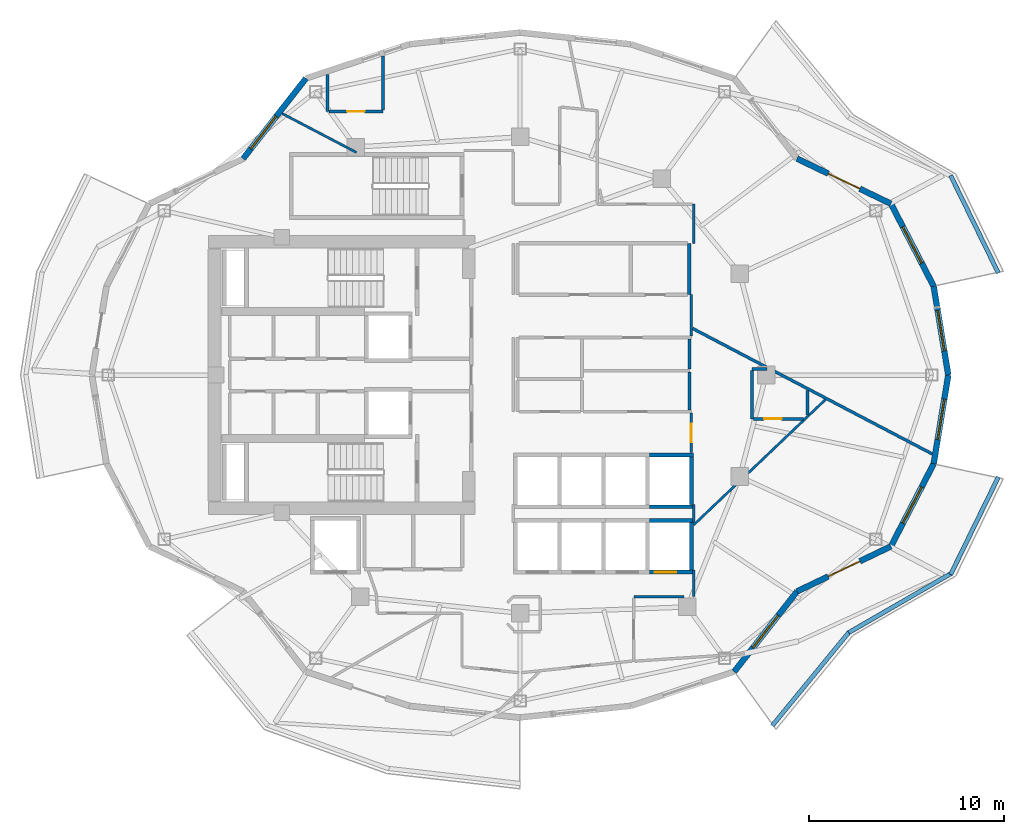
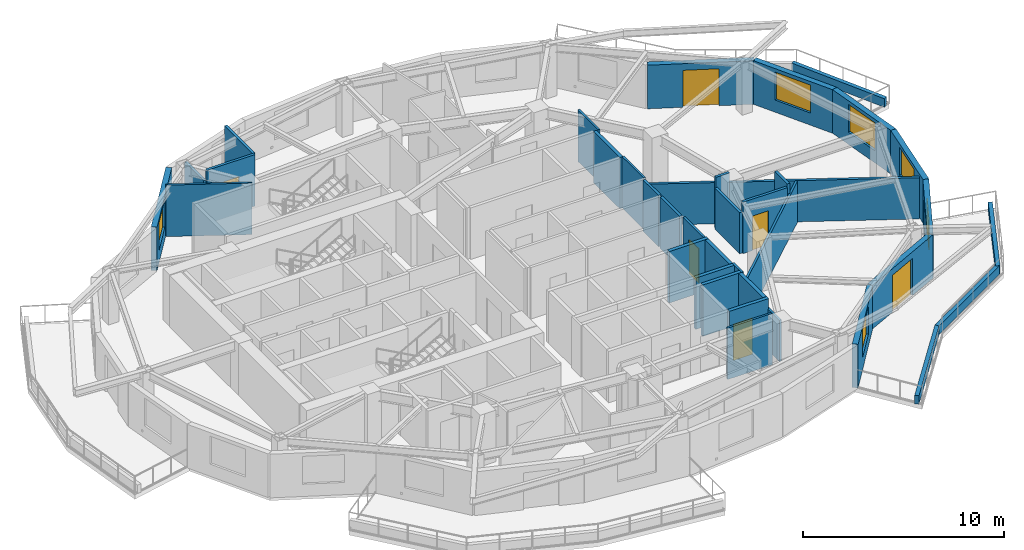
# One storey, part 6 of 10: 37 walls, 6 doors, 6 windows, 12 openings.
"""IFC4 building model written with IfcOpenShell, lengths in metres."""

from ifc_helpers import new_model, si_unit, direction, frame, frame_2d, origin, place, context, subcontext, project, spatial, rectangle, extrude, material, layer, layer_set, type_object, element, fill, save


model = new_model("IFC4")

# Units and contexts
model_context = context("Model", 3, precision=1e-05, world=origin(), true_north=direction((0.0, 1.0)))
body_context = subcontext(model_context, "Body", "Model", "MODEL_VIEW")
ifc_project = project(units=[si_unit("LENGTHUNIT", "METRE"), si_unit("AREAUNIT", "SQUARE_METRE"), si_unit("VOLUMEUNIT", "CUBIC_METRE"), si_unit("PLANEANGLEUNIT", "RADIAN"), si_unit("MASSUNIT", "GRAM", prefix="KILO")], contexts=[model_context])

# Site, building, storey
site_placement = place(None, origin())
site = spatial("IfcSite", under=ifc_project, at=site_placement, CompositionType="ELEMENT")
building_placement = place(site_placement, origin())
building = spatial("IfcBuilding", under=site, at=building_placement, Name="Kolvaren Gate Tower and Convention Centre", CompositionType="ELEMENT")
storey_placement = place(building_placement, frame((0.0, 0.0, 152.89990234375)))
storey = spatial("IfcBuildingStorey", under=building, at=storey_placement, Name="L39", CompositionType="ELEMENT", Elevation=152.89990234375)

# Walls
ifc_material_1 = material(Name="Autoclaved Aerated Masonry Blockwork Class 4 (4.0 MPa)", Category="masonry")
ifc_layer_1 = layer(ifc_material_1, 0.179931640625)
ifc_layer_set_1 = layer_set([ifc_layer_1], Name="Autoclaved Aerated Masonry Blockwork Class 4 (4.0 MPa)")
wall_type_1 = type_object("IfcWallType", Name="ARCH-WL-COMP-180", PredefinedType="SOLIDWALL", material=ifc_layer_set_1)
wall_1_placement = place(storey_placement, frame((38.800048828125, 31.1201171875, 0.0), z_axis=(0.0, 0.0, 1.0), x_axis=(0.0, 1.0, 0.0)))
element("IfcWall", 1, at=wall_1_placement, inside=storey, type_object=wall_type_1, Name="Interior Partition WL-L39-INT-024", PredefinedType="SOLIDWALL", context=body_context, shape_type="SweptSolid", body=[
    extrude(rectangle(XDim=2.6298828125, YDim=0.179931640625, at=frame_2d((1.31494140625, 0.0))), origin(), (0.0, 0.0, 1.0), 3.130126953125),
])
ifc_material_2 = material(Name="Fire-Rated Acoustic Gypsum Stud Partition", Category="gypsum")
ifc_layer_2 = layer(ifc_material_2, 0.1201171875)
ifc_layer_set_2 = layer_set([ifc_layer_2], Name="Fire-Rated Acoustic Gypsum Stud Partition")
wall_type_2 = type_object("IfcWallType", Name="ARCH-WL-PART-120", PredefinedType="PARTITIONING", material=ifc_layer_set_2)
wall_2_placement = place(storey_placement, frame((39.02001953125, 15.64990234375, 0.0), z_axis=(0.0, 0.0, 1.0), x_axis=(0.0, 1.0, 0.0)))
element("IfcWall", 2, at=wall_2_placement, inside=storey, type_object=wall_type_2, Name="Interior Partition WL-L39-INT-028", PredefinedType="PARTITIONING", context=body_context, shape_type="SweptSolid", body=[
    extrude(rectangle(XDim=1.360107421875, YDim=0.1201171875, at=frame_2d((0.68017578125, 0.0))), origin(), (0.0, 0.0, 1.0), 2.505126953125),
])
wall_3_placement = place(storey_placement, frame((39.02001953125, 19.43994140625, 0.0), z_axis=(0.0, 0.0, 1.0), x_axis=(0.0, 1.0, 0.0)))
element("IfcWall", 3, at=wall_3_placement, inside=storey, type_object=wall_type_2, Name="Interior Partition WL-L39-INT-028 (2)", PredefinedType="PARTITIONING", context=body_context, shape_type="SweptSolid", body=[
    extrude(rectangle(XDim=0.920166015625, YDim=0.1201171875, at=frame_2d((0.4599609375, 0.0))), origin(), (0.0, 0.0, 1.0), 3.130126953125),
])
wall_4_placement = place(storey_placement, frame((39.02001953125, 33.75, 0.0), z_axis=(0.0, 0.0, 1.0), x_axis=(0.0, 1.0, 0.0)))
element("IfcWall", 4, at=wall_4_placement, inside=storey, type_object=wall_type_2, Name="Interior Partition WL-L39-INT-029", PredefinedType="PARTITIONING", context=body_context, shape_type="SweptSolid", body=[
    extrude(rectangle(XDim=2.0, YDim=0.1201171875, at=frame_2d((1.0, 0.0))), origin(), (0.0, 0.0, 1.0), 3.130126953125),
])
wall_5_placement = place(storey_placement, frame((35.949951171875, 15.64990234375, 0.0), z_axis=(0.0, 0.0, 1.0), x_axis=(1.0, 0.0, 0.0)))
element("IfcWall", 5, at=wall_5_placement, inside=storey, type_object=wall_type_2, Name="Interior Partition WL-L39-INT-031", PredefinedType="PARTITIONING", context=body_context, shape_type="SweptSolid", body=[
    extrude(rectangle(XDim=2.568115234375, YDim=0.1201171875, at=frame_2d((1.2841796875, 0.0))), origin(), (0.0, 0.0, 1.0), 3.130126953125),
])

# Wall, opening, door
wall_6_placement = place(storey_placement, frame((38.89990234375, 23.02001953125, 0.0), z_axis=(0.0, 0.0, 1.0), x_axis=(0.0, 1.0, 0.0)))
wall_6 = element("IfcWall", 6, at=wall_6_placement, inside=storey, type_object=wall_type_2, Name="Interior Partition WL-L39-INT-049", PredefinedType="PARTITIONING", context=body_context, shape_type="SweptSolid", body=[
    extrude(rectangle(XDim=2.02294921875, YDim=0.1201171875, at=frame_2d((1.011474609375, 0.0))), origin(), (0.0, 0.0, 1.0), 3.130126953125),
])
opening_1_placement = place(wall_6_placement, frame((0.53662109375, 0.0, 0.0)))
opening_1 = element("IfcOpeningElement", 7, at=opening_1_placement, cuts=wall_6, Name="Opening DR-01", PredefinedType="OPENING", context=body_context, shape_type="SweptSolid", body=[
    extrude(rectangle(XDim=0.949951171875, YDim=2.10009765625, at=frame_2d((0.47509765625, 1.050048828125))), frame((0.0, 0.070068359375, 0.0), z_axis=(0.0, -1.0, 0.0), x_axis=(1.0, 0.0, 0.0)), (0.0, 0.0, 1.0), 0.14013671875),
])
ifc_material_3 = material(Name="Painted Architectural Steelwork ASTM A500 Grade C 345 MPa", Category="steel")
door_type_1 = type_object("IfcDoorType", Name="ARCH-DR-RISER-950", OperationType="SINGLE_SWING_RIGHT", PredefinedType="DOOR", material=ifc_material_3)
door_1_placement = place(opening_1_placement, origin())
door_1 = element("IfcDoor", 8, at=door_1_placement, inside=storey, type_object=door_type_1, Name="Hotel Guest Room (HTL-L39-05) Door", OperationType="SINGLE_SWING_RIGHT", OverallHeight=2.10009765625, OverallWidth=0.949951171875, PredefinedType="DOOR", context=body_context, shape_type="SweptSolid", body=[
    extrude(rectangle(XDim=0.949951171875, YDim=2.10009765625, at=frame_2d((0.47509765625, 1.050048828125))), frame((0.0, 0.02490234375, 0.0), z_axis=(0.0, -1.0, 0.0), x_axis=(1.0, 0.0, 0.0)), (0.0, 0.0, 1.0), 0.050048828125),
])
fill(opening_1, door_1)

# Walls
wall_7_placement = place(storey_placement, frame((38.89990234375, 28.9970703125, 0.0), z_axis=(0.0, 0.0, 1.0), x_axis=(0.0, 1.0, 0.0)))
element("IfcWall", 9, at=wall_7_placement, inside=storey, type_object=wall_type_2, Name="Interior Partition WL-L39-INT-050", PredefinedType="PARTITIONING", context=body_context, shape_type="SweptSolid", body=[
    extrude(rectangle(XDim=2.123046875, YDim=0.1201171875, at=frame_2d((1.0615234375, 0.0))), origin(), (0.0, 0.0, 1.0), 3.130126953125),
])
wall_8_placement = place(storey_placement, frame((17.93701171875, 40.39501953125, 0.0), z_axis=(0.0, 0.0, 1.0), x_axis=(0.885906043835, -0.463864723273, 0.0)))
element("IfcWall", 10, at=wall_8_placement, inside=storey, type_object=wall_type_2, Name="Interior Partition WL-L39-INT-055", PredefinedType="PARTITIONING", context=body_context, shape_type="SweptSolid", body=[
    extrude(rectangle(XDim=4.29638671875, YDim=0.1201171875, at=frame_2d((2.148193359375, 0.0))), origin(), (0.0, 0.0, 1.0), 3.130126953125),
])
wall_9_placement = place(storey_placement, frame((39.02099609375, 19.32373046875, 0.0), z_axis=(0.0, 0.0, 1.0), x_axis=(0.724517158733, 0.689256763986, 0.0)))
element("IfcWall", 11, at=wall_9_placement, inside=storey, type_object=wall_type_2, Name="Interior Partition WL-L39-INT-059", PredefinedType="PARTITIONING", context=body_context, shape_type="SweptSolid", body=[
    extrude(rectangle(XDim=9.3056640625, YDim=0.1201171875, at=frame_2d((4.65283203125, 0.0))), origin(), (0.0, 0.0, 1.0), 2.505126953125),
])
ifc_material_4 = material(Name="Piedmont Cream Honed Limestone Cladding", Category="masonry")
ifc_layer_3 = layer(ifc_material_4, 0.219970703125)
ifc_layer_set_3 = layer_set([ifc_layer_3], Name="Piedmont Cream Honed Limestone Cladding")
wall_type_3 = type_object("IfcWallType", Name="ARCH-WL-PLANTER-220", PredefinedType="PARAPET", material=ifc_layer_set_3)
wall_10_placement = place(storey_placement, frame((52.180419921875, 37.221435546875, 0.0), z_axis=(0.0, 0.0, 1.0), x_axis=(0.439637174641, -0.898175458735, 0.0)))
element("IfcWall", 12, at=wall_10_placement, inside=storey, type_object=wall_type_3, Name="Vertical-Forest Balcony Stone Planter Kerb PK-L39-1.1", PredefinedType="PARAPET", context=body_context, shape_type="SweptSolid", body=[
    extrude(rectangle(XDim=5.567138671875, YDim=0.219970703125, at=frame_2d((2.78369140625, 0.0))), origin(), (0.0, 0.0, 1.0), 0.52001953125),
])
wall_11_placement = place(storey_placement, frame((43.0419921875, 9.03564453125, 0.0), z_axis=(0.0, 0.0, 1.0), x_axis=(0.634429234628, 0.77298094818, 0.0)))
element("IfcWall", 13, at=wall_11_placement, inside=storey, type_object=wall_type_3, Name="Vertical-Forest Balcony Stone Planter Kerb PK-L39-4.1", PredefinedType="PARAPET", context=body_context, shape_type="SweptSolid", body=[
    extrude(rectangle(XDim=6.244873046875, YDim=0.219970703125, at=frame_2d((3.12255859375, 0.0))), origin(), (0.0, 0.0, 1.0), 0.52001953125),
])
wall_12_placement = place(storey_placement, frame((46.95751953125, 13.8046875, 0.0), z_axis=(0.0, 0.0, 1.0), x_axis=(0.866058128659, 0.499943314571, 0.0)))
element("IfcWall", 14, at=wall_12_placement, inside=storey, type_object=wall_type_3, Name="Vertical-Forest Balcony Stone Planter Kerb PK-L39-4.2", PredefinedType="PARAPET", context=body_context, shape_type="SweptSolid", body=[
    extrude(rectangle(XDim=6.060302734375, YDim=0.219970703125, at=frame_2d((3.0302734375, 0.0))), origin(), (0.0, 0.0, 1.0), 0.52001953125),
])
wall_13_placement = place(storey_placement, frame((52.180419921875, 16.778564453125, 0.0), z_axis=(0.0, 0.0, 1.0), x_axis=(0.439637174641, 0.898175458735, 0.0)))
element("IfcWall", 15, at=wall_13_placement, inside=storey, type_object=wall_type_3, Name="Vertical-Forest Balcony Stone Planter Kerb PK-L39-4.3", PredefinedType="PARAPET", context=body_context, shape_type="SweptSolid", body=[
    extrude(rectangle(XDim=5.567138671875, YDim=0.219970703125, at=frame_2d((2.78369140625, 0.0))), origin(), (0.0, 0.0, 1.0), 0.52001953125),
])
ifc_layer_4 = layer(ifc_material_1, 0.199951171875)
ifc_layer_set_4 = layer_set([ifc_layer_4], Name="Autoclaved Aerated Masonry Blockwork Class 4 (4.0 MPa)")
wall_type_4 = type_object("IfcWallType", Name="ARCH-WL-SHAFT-200", PredefinedType="SOLIDWALL", material=ifc_layer_set_4)
wall_14_placement = place(storey_placement, frame((36.75, 19.550048828125, 0.0), z_axis=(0.0, 0.0, 1.0), x_axis=(1.0, 0.0, 0.0)))
element("IfcWall", 16, at=wall_14_placement, inside=storey, type_object=wall_type_4, Name="Elevator PL-08 L39 Fire Shaft Wall N", PredefinedType="SOLIDWALL", context=body_context, shape_type="SweptSolid", body=[
    extrude(rectangle(XDim=2.25, YDim=0.199951171875, at=frame_2d((1.125, 0.0))), origin(), (0.0, 0.0, 1.0), 3.130126953125),
])

# Wall, opening, door
wall_15_placement = place(storey_placement, frame((36.75, 16.89990234375, 0.0), z_axis=(0.0, 0.0, 1.0), x_axis=(1.0, 0.0, 0.0)))
wall_15 = element("IfcWall", 17, at=wall_15_placement, inside=storey, type_object=wall_type_4, Name="Elevator PL-08 L39 Fire Shaft Wall S", PredefinedType="SOLIDWALL", context=body_context, shape_type="SweptSolid", body=[
    extrude(rectangle(XDim=2.25, YDim=0.199951171875, at=frame_2d((1.125, 0.0))), origin(), (0.0, 0.0, 1.0), 3.130126953125),
])
opening_2_placement = place(wall_15_placement, frame((0.280029296875, 0.0, 0.0)))
opening_2 = element("IfcOpeningElement", 18, at=opening_2_placement, cuts=wall_15, Name="Opening LD", PredefinedType="OPENING", context=body_context, shape_type="SweptSolid", body=[
    extrude(rectangle(XDim=1.10009765625, YDim=2.199951171875, at=frame_2d((0.550048828125, 1.10009765625))), frame((0.0, 0.10986328125, 0.0), z_axis=(0.0, -1.0, 0.0), x_axis=(1.0, 0.0, 0.0)), (0.0, 0.0, 1.0), 0.219970703125),
])
ifc_material_5 = material(Name="Brushed Stainless Steel Grade 316L", Category="steel")
door_type_2 = type_object("IfcDoorType", Name="ARCH-DR-LIFT-1100", OperationType="SLIDING_TO_LEFT", PredefinedType="DOOR", material=ifc_material_5)
door_2_placement = place(opening_2_placement, origin())
door_2 = element("IfcDoor", 19, at=door_2_placement, inside=storey, type_object=door_type_2, Name="Elevator PL-08 L39 Sliding Landing Door", OperationType="SLIDING_TO_LEFT", OverallHeight=2.199951171875, OverallWidth=1.10009765625, PredefinedType="DOOR", context=body_context, shape_type="SweptSolid", body=[
    extrude(rectangle(XDim=1.10009765625, YDim=2.199951171875, at=frame_2d((0.550048828125, 1.10009765625))), frame((0.0, 0.02490234375, 0.0), z_axis=(0.0, -1.0, 0.0), x_axis=(1.0, 0.0, 0.0)), (0.0, 0.0, 1.0), 0.050048828125),
])
fill(opening_2, door_2)

# Walls
wall_16_placement = place(storey_placement, frame((38.89990234375, 17.010009765625, 0.0), z_axis=(0.0, 0.0, 1.0), x_axis=(0.0, 1.0, 0.0)))
element("IfcWall", 20, at=wall_16_placement, inside=storey, type_object=wall_type_4, Name="Elevator PL-08 L39 Fire Shaft Wall E", PredefinedType="SOLIDWALL", context=body_context, shape_type="SweptSolid", body=[
    extrude(rectangle(XDim=2.429931640625, YDim=0.199951171875, at=frame_2d((1.21484375, 0.0))), origin(), (0.0, 0.0, 1.0), 3.130126953125),
])
for number, where, z_axis, x_axis, name in (
    (21, (36.75, 22.89990234375, 0.0), (0.0, 0.0, 1.0), (1.0, 0.0, 0.0), "Elevator PL-12 L39 Fire Shaft Wall N"),
    (22, (36.75, 20.25, 0.0), (0.0, 0.0, 1.0), (1.0, 0.0, 0.0), "Elevator PL-12 L39 Fire Shaft Wall S"),
):
    element("IfcWall", number, at=place(storey_placement, frame(where, z_axis=z_axis, x_axis=x_axis)), inside=storey, type_object=wall_type_4, Name=name, PredefinedType="SOLIDWALL", context=body_context, shape_type="SweptSolid", body=[
        extrude(rectangle(XDim=2.25, YDim=0.199951171875, at=frame_2d((1.125, 0.0))), origin(), (0.0, 0.0, 1.0), 3.130126953125),
    ])
wall_17_placement = place(storey_placement, frame((38.89990234375, 20.360107421875, 0.0), z_axis=(0.0, 0.0, 1.0), x_axis=(0.0, 1.0, 0.0)))
element("IfcWall", 23, at=wall_17_placement, inside=storey, type_object=wall_type_4, Name="Elevator PL-12 L39 Fire Shaft Wall E", PredefinedType="SOLIDWALL", context=body_context, shape_type="SweptSolid", body=[
    extrude(rectangle(XDim=2.429931640625, YDim=0.199951171875, at=frame_2d((1.21484375, 0.0))), origin(), (0.0, 0.0, 1.0), 3.130126953125),
])

# Wall, opening, window
ifc_layer_5 = layer(ifc_material_4, 0.300048828125)
ifc_layer_set_5 = layer_set([ifc_layer_5], Name="Piedmont Cream Honed Limestone Cladding")
wall_type_5 = type_object("IfcWallType", Name="ARCH-WL-STONE-300", PredefinedType="SOLIDWALL", material=ifc_layer_set_5)
wall_18_placement = place(storey_placement, frame((51.31494140625, 31.542236328125, 0.0), z_axis=(0.0, 0.0, 1.0), x_axis=(0.162394765401, -0.986725868806, 0.0)))
wall_18 = element("IfcWall", 24, at=wall_18_placement, inside=storey, type_object=wall_type_5, Name="Tower L39 Honed Stone Spandrel Wall EW-00", PredefinedType="SOLIDWALL", context=body_context, shape_type="SweptSolid", body=[
    extrude(rectangle(XDim=4.603271484375, YDim=0.300048828125, at=frame_2d((2.3017578125, 0.0))), origin(), (0.0, 0.0, 1.0), 2.653076171875),
])
opening_3_placement = place(wall_18_placement, frame((1.251953125, 0.0, 0.739990234375)))
opening_3 = element("IfcOpeningElement", 25, at=opening_3_placement, cuts=wall_18, Name="Opening W-02", PredefinedType="OPENING", context=body_context, shape_type="SweptSolid", body=[
    extrude(rectangle(XDim=2.10009765625, YDim=1.699951171875, at=frame_2d((1.050048828125, 0.85009765625))), frame((0.0, 0.159912109375, 0.0), z_axis=(0.0, -1.0, 0.0), x_axis=(1.0, 0.0, 0.0)), (0.0, 0.0, 1.0), 0.320068359375),
])
ifc_material_6 = material(Name="Low-E Triple Insulated Glazing Unit 44 mm", Category="glass")
window_type = type_object("IfcWindowType", Name="ARCH-WN-HTL-2100", PartitioningType="SINGLE_PANEL", PredefinedType="WINDOW", material=ifc_material_6)
window_1_placement = place(opening_3_placement, origin())
window_1 = element("IfcWindow", 26, at=window_1_placement, inside=storey, type_object=window_type, Name="Tower L39 Punched Stone Facade Window W-00", OverallHeight=1.699951171875, OverallWidth=2.10009765625, PartitioningType="SINGLE_PANEL", PredefinedType="WINDOW", context=body_context, shape_type="SweptSolid", body=[
    extrude(rectangle(XDim=2.10009765625, YDim=1.699951171875, at=frame_2d((1.050048828125, 0.85009765625))), frame((0.0, 0.030029296875, 0.0), z_axis=(0.0, -1.0, 0.0), x_axis=(1.0, 0.0, 0.0)), (0.0, 0.0, 1.0), 0.06005859375),
])
fill(opening_3, window_1)

wall_19_placement = place(storey_placement, frame((49.123291015625, 35.77490234375, 0.0), z_axis=(0.0, 0.0, 1.0), x_axis=(0.459810251451, -0.888017191647, 0.0)))
wall_19 = element("IfcWall", 27, at=wall_19_placement, inside=storey, type_object=wall_type_5, Name="Tower L39 Honed Stone Spandrel Wall EW-01", PredefinedType="SOLIDWALL", context=body_context, shape_type="SweptSolid", body=[
    extrude(rectangle(XDim=4.766357421875, YDim=0.300048828125, at=frame_2d((2.38330078125, 0.0))), origin(), (0.0, 0.0, 1.0), 2.653076171875),
])
opening_4_placement = place(wall_19_placement, frame((1.3330078125, 0.0, 0.739990234375)))
opening_4 = element("IfcOpeningElement", 28, at=opening_4_placement, cuts=wall_19, Name="Opening W-02", PredefinedType="OPENING", context=body_context, shape_type="SweptSolid", body=[
    extrude(rectangle(XDim=2.10009765625, YDim=1.699951171875, at=frame_2d((1.050048828125, 0.85009765625))), frame((0.0, 0.159912109375, 0.0), z_axis=(0.0, -1.0, 0.0), x_axis=(1.0, 0.0, 0.0)), (0.0, 0.0, 1.0), 0.320068359375),
])
window_2_placement = place(opening_4_placement, origin())
window_2 = element("IfcWindow", 29, at=window_2_placement, inside=storey, type_object=window_type, Name="Tower L39 Punched Stone Facade Window W-01", OverallHeight=1.699951171875, OverallWidth=2.10009765625, PartitioningType="SINGLE_PANEL", PredefinedType="WINDOW", context=body_context, shape_type="SweptSolid", body=[
    extrude(rectangle(XDim=2.10009765625, YDim=1.699951171875, at=frame_2d((1.050048828125, 0.85009765625))), frame((0.0, 0.030029296875, 0.0), z_axis=(0.0, -1.0, 0.0), x_axis=(1.0, 0.0, 0.0)), (0.0, 0.0, 1.0), 0.06005859375),
])
fill(opening_4, window_2)

# Wall, opening, door
wall_20_placement = place(storey_placement, frame((44.3134765625, 38.0859375, 0.0), z_axis=(0.0, 0.0, 1.0), x_axis=(0.901353070301, -0.433085029363, 0.0)))
wall_20 = element("IfcWall", 30, at=wall_20_placement, inside=storey, type_object=wall_type_5, Name="Tower L39 Honed Stone Spandrel Wall EW-02", PredefinedType="SOLIDWALL", context=body_context, shape_type="SweptSolid", body=[
    extrude(rectangle(XDim=5.336181640625, YDim=0.300048828125, at=frame_2d((2.66796875, 0.0))), origin(), (0.0, 0.0, 1.0), 2.653076171875),
])
opening_5_placement = place(wall_20_placement, frame((1.76806640625, 0.0, 0.0)))
opening_5 = element("IfcOpeningElement", 31, at=opening_5_placement, cuts=wall_20, Name="Opening DB-01", PredefinedType="OPENING", context=body_context, shape_type="SweptSolid", body=[
    extrude(rectangle(XDim=1.800048828125, YDim=2.25, at=frame_2d((0.89990234375, 1.125))), frame((0.0, 0.159912109375, 0.0), z_axis=(0.0, -1.0, 0.0), x_axis=(1.0, 0.0, 0.0)), (0.0, 0.0, 1.0), 0.320068359375),
])
ifc_material_7 = material(Name="Anodized Architectural Aluminium Alloy 6063-T6", Category="aluminium")
door_type_3 = type_object("IfcDoorType", Name="ARCH-DR-BALC-1800", OperationType="SLIDING_TO_LEFT", PredefinedType="DOOR", material=ifc_material_7)
door_3_placement = place(opening_5_placement, origin())
door_3 = element("IfcDoor", 32, at=door_3_placement, inside=storey, type_object=door_type_3, Name="Planted Sky Terrace Access Door DB-L39-02", OperationType="SLIDING_TO_LEFT", OverallHeight=2.25, OverallWidth=1.800048828125, PredefinedType="DOOR", context=body_context, shape_type="SweptSolid", body=[
    extrude(rectangle(XDim=1.800048828125, YDim=2.25, at=frame_2d((0.89990234375, 1.125))), frame((0.0, 0.02490234375, 0.0), z_axis=(0.0, -1.0, 0.0), x_axis=(1.0, 0.0, 0.0)), (0.0, 0.0, 1.0), 0.050048828125),
])
fill(opening_5, door_3)

# Wall, opening, window
wall_21_placement = place(storey_placement, frame((15.9365234375, 38.0859375, 0.0), z_axis=(0.0, 0.0, 1.0), x_axis=(0.616429245738, 0.787410302828, 0.0)))
wall_21 = element("IfcWall", 33, at=wall_21_placement, inside=storey, type_object=wall_type_5, Name="Tower L39 Honed Stone Spandrel Wall EW-08", PredefinedType="SOLIDWALL", context=body_context, shape_type="SweptSolid", body=[
    extrude(rectangle(XDim=5.22314453125, YDim=0.300048828125, at=frame_2d((2.611572265625, 0.0))), origin(), (0.0, 0.0, 1.0), 2.653076171875),
])
opening_6_placement = place(wall_21_placement, frame((0.64990234375, 0.0, 0.739990234375)))
opening_6 = element("IfcOpeningElement", 34, at=opening_6_placement, cuts=wall_21, Name="Opening W-02", PredefinedType="OPENING", context=body_context, shape_type="SweptSolid", body=[
    extrude(rectangle(XDim=2.10009765625, YDim=1.699951171875, at=frame_2d((1.050048828125, 0.85009765625))), frame((0.0, 0.159912109375, 0.0), z_axis=(0.0, -1.0, 0.0), x_axis=(1.0, 0.0, 0.0)), (0.0, 0.0, 1.0), 0.320068359375),
])
window_3_placement = place(opening_6_placement, origin())
window_3 = element("IfcWindow", 35, at=window_3_placement, inside=storey, type_object=window_type, Name="Tower L39 Punched Stone Facade Window W-08", OverallHeight=1.699951171875, OverallWidth=2.10009765625, PartitioningType="SINGLE_PANEL", PredefinedType="WINDOW", context=body_context, shape_type="SweptSolid", body=[
    extrude(rectangle(XDim=2.10009765625, YDim=1.699951171875, at=frame_2d((1.050048828125, 0.85009765625))), frame((0.0, 0.030029296875, 0.0), z_axis=(0.0, -1.0, 0.0), x_axis=(1.0, 0.0, 0.0)), (0.0, 0.0, 1.0), 0.06005859375),
])
fill(opening_6, window_3)

wall_22_placement = place(storey_placement, frame((41.09375, 11.80126953125, 0.0), z_axis=(0.0, 0.0, 1.0), x_axis=(0.616429245738, 0.787410302828, 0.0)))
wall_22 = element("IfcWall", 36, at=wall_22_placement, inside=storey, type_object=wall_type_5, Name="Tower L39 Honed Stone Spandrel Wall EW-20", PredefinedType="SOLIDWALL", context=body_context, shape_type="SweptSolid", body=[
    extrude(rectangle(XDim=5.22314453125, YDim=0.300048828125, at=frame_2d((2.611572265625, 0.0))), origin(), (0.0, 0.0, 1.0), 2.653076171875),
])
opening_7_placement = place(wall_22_placement, frame((1.56201171875, 0.0, 0.739990234375)))
opening_7 = element("IfcOpeningElement", 37, at=opening_7_placement, cuts=wall_22, Name="Opening W-02", PredefinedType="OPENING", context=body_context, shape_type="SweptSolid", body=[
    extrude(rectangle(XDim=2.10009765625, YDim=1.699951171875, at=frame_2d((1.050048828125, 0.85009765625))), frame((0.0, 0.159912109375, 0.0), z_axis=(0.0, -1.0, 0.0), x_axis=(1.0, 0.0, 0.0)), (0.0, 0.0, 1.0), 0.320068359375),
])
window_4_placement = place(opening_7_placement, origin())
window_4 = element("IfcWindow", 38, at=window_4_placement, inside=storey, type_object=window_type, Name="Tower L39 Punched Stone Facade Window W-20", OverallHeight=1.699951171875, OverallWidth=2.10009765625, PartitioningType="SINGLE_PANEL", PredefinedType="WINDOW", context=body_context, shape_type="SweptSolid", body=[
    extrude(rectangle(XDim=2.10009765625, YDim=1.699951171875, at=frame_2d((1.050048828125, 0.85009765625))), frame((0.0, 0.030029296875, 0.0), z_axis=(0.0, -1.0, 0.0), x_axis=(1.0, 0.0, 0.0)), (0.0, 0.0, 1.0), 0.06005859375),
])
fill(opening_7, window_4)

# Wall, opening, door
wall_23_placement = place(storey_placement, frame((44.3134765625, 15.9140625, 0.0), z_axis=(0.0, 0.0, 1.0), x_axis=(0.901353070301, 0.433085029363, 0.0)))
wall_23 = element("IfcWall", 39, at=wall_23_placement, inside=storey, type_object=wall_type_5, Name="Tower L39 Honed Stone Spandrel Wall EW-21", PredefinedType="SOLIDWALL", context=body_context, shape_type="SweptSolid", body=[
    extrude(rectangle(XDim=5.336181640625, YDim=0.300048828125, at=frame_2d((2.66796875, 0.0))), origin(), (0.0, 0.0, 1.0), 2.653076171875),
])
opening_8_placement = place(wall_23_placement, frame((1.76806640625, 0.0, 0.0)))
opening_8 = element("IfcOpeningElement", 40, at=opening_8_placement, cuts=wall_23, Name="Opening DB-01", PredefinedType="OPENING", context=body_context, shape_type="SweptSolid", body=[
    extrude(rectangle(XDim=1.800048828125, YDim=2.25, at=frame_2d((0.89990234375, 1.125))), frame((0.0, 0.159912109375, 0.0), z_axis=(0.0, -1.0, 0.0), x_axis=(1.0, 0.0, 0.0)), (0.0, 0.0, 1.0), 0.320068359375),
])
door_4_placement = place(opening_8_placement, frame((1.800048828125, 0.0, 0.0), z_axis=(0.0, 0.0, 1.0), x_axis=(-1.0, 0.0, 0.0)))
door_4 = element("IfcDoor", 41, at=door_4_placement, inside=storey, type_object=door_type_3, Name="Planted Sky Terrace Access Door DB-L39-21", OperationType="SLIDING_TO_LEFT", OverallHeight=2.25, OverallWidth=1.800048828125, PredefinedType="DOOR", context=body_context, shape_type="SweptSolid", body=[
    extrude(rectangle(XDim=1.800048828125, YDim=2.25, at=frame_2d((0.89990234375, 1.125))), frame((0.0, 0.02490234375, 0.0), z_axis=(0.0, -1.0, 0.0), x_axis=(1.0, 0.0, 0.0)), (0.0, 0.0, 1.0), 0.050048828125),
])
fill(opening_8, door_4)

# Wall, opening, window
wall_24_placement = place(storey_placement, frame((49.123291015625, 18.22509765625, 0.0), z_axis=(0.0, 0.0, 1.0), x_axis=(0.459810251451, 0.888017191647, 0.0)))
wall_24 = element("IfcWall", 42, at=wall_24_placement, inside=storey, type_object=wall_type_5, Name="Tower L39 Honed Stone Spandrel Wall EW-22", PredefinedType="SOLIDWALL", context=body_context, shape_type="SweptSolid", body=[
    extrude(rectangle(XDim=4.766357421875, YDim=0.300048828125, at=frame_2d((2.38330078125, 0.0))), origin(), (0.0, 0.0, 1.0), 2.653076171875),
])
opening_9_placement = place(wall_24_placement, frame((1.3330078125, 0.0, 0.739990234375)))
opening_9 = element("IfcOpeningElement", 43, at=opening_9_placement, cuts=wall_24, Name="Opening W-02", PredefinedType="OPENING", context=body_context, shape_type="SweptSolid", body=[
    extrude(rectangle(XDim=2.10009765625, YDim=1.699951171875, at=frame_2d((1.050048828125, 0.85009765625))), frame((0.0, 0.159912109375, 0.0), z_axis=(0.0, -1.0, 0.0), x_axis=(1.0, 0.0, 0.0)), (0.0, 0.0, 1.0), 0.320068359375),
])
window_5_placement = place(opening_9_placement, origin())
window_5 = element("IfcWindow", 44, at=window_5_placement, inside=storey, type_object=window_type, Name="Tower L39 Punched Stone Facade Window W-22", OverallHeight=1.699951171875, OverallWidth=2.10009765625, PartitioningType="SINGLE_PANEL", PredefinedType="WINDOW", context=body_context, shape_type="SweptSolid", body=[
    extrude(rectangle(XDim=2.10009765625, YDim=1.699951171875, at=frame_2d((1.050048828125, 0.85009765625))), frame((0.0, 0.030029296875, 0.0), z_axis=(0.0, -1.0, 0.0), x_axis=(1.0, 0.0, 0.0)), (0.0, 0.0, 1.0), 0.06005859375),
])
fill(opening_9, window_5)

wall_25_placement = place(storey_placement, frame((51.31494140625, 22.457763671875, 0.0), z_axis=(0.0, 0.0, 1.0), x_axis=(0.162394765401, 0.986725868806, 0.0)))
wall_25 = element("IfcWall", 45, at=wall_25_placement, inside=storey, type_object=wall_type_5, Name="Tower L39 Honed Stone Spandrel Wall EW-23", PredefinedType="SOLIDWALL", context=body_context, shape_type="SweptSolid", body=[
    extrude(rectangle(XDim=4.603271484375, YDim=0.300048828125, at=frame_2d((2.3017578125, 0.0))), origin(), (0.0, 0.0, 1.0), 2.653076171875),
])
opening_10_placement = place(wall_25_placement, frame((1.251953125, 0.0, 0.739990234375)))
opening_10 = element("IfcOpeningElement", 46, at=opening_10_placement, cuts=wall_25, Name="Opening W-02", PredefinedType="OPENING", context=body_context, shape_type="SweptSolid", body=[
    extrude(rectangle(XDim=2.10009765625, YDim=1.699951171875, at=frame_2d((1.050048828125, 0.85009765625))), frame((0.0, 0.159912109375, 0.0), z_axis=(0.0, -1.0, 0.0), x_axis=(1.0, 0.0, 0.0)), (0.0, 0.0, 1.0), 0.320068359375),
])
window_6_placement = place(opening_10_placement, origin())
window_6 = element("IfcWindow", 47, at=window_6_placement, inside=storey, type_object=window_type, Name="Tower L39 Punched Stone Facade Window W-23", OverallHeight=1.699951171875, OverallWidth=2.10009765625, PartitioningType="SINGLE_PANEL", PredefinedType="WINDOW", context=body_context, shape_type="SweptSolid", body=[
    extrude(rectangle(XDim=2.10009765625, YDim=1.699951171875, at=frame_2d((1.050048828125, 0.85009765625))), frame((0.0, 0.030029296875, 0.0), z_axis=(0.0, -1.0, 0.0), x_axis=(1.0, 0.0, 0.0)), (0.0, 0.0, 1.0), 0.06005859375),
])
fill(opening_10, window_6)

# Walls
ifc_material_8 = material(Name="Moisture-Resistant Cement-Board Acoustic Partition", Category="gypsum")
ifc_layer_6 = layer(ifc_material_8, 0.14990234375)
ifc_layer_set_6 = layer_set([ifc_layer_6], Name="Moisture-Resistant Cement-Board Acoustic Partition")
wall_type_6 = type_object("IfcWallType", Name="ARCH-WL-WET-150", PredefinedType="PARTITIONING", material=ifc_layer_set_6)
wall_26_placement = place(storey_placement, frame((38.800048828125, 25.197021484375, 0.0), z_axis=(0.0, 0.0, 1.0), x_axis=(0.0, 1.0, 0.0)))
element("IfcWall", 48, at=wall_26_placement, inside=storey, type_object=wall_type_6, Name="Interior Partition WL-L39-INT-023", PredefinedType="PARTITIONING", context=body_context, shape_type="SweptSolid", body=[
    extrude(rectangle(XDim=1.946044921875, YDim=0.14990234375, at=frame_2d((0.97314453125, 0.0))), origin(), (0.0, 0.0, 1.0), 3.130126953125),
])
wall_27_placement = place(storey_placement, frame((38.800048828125, 27.297119140625, 0.0), z_axis=(0.0, 0.0, 1.0), x_axis=(0.0, 1.0, 0.0)))
element("IfcWall", 49, at=wall_27_placement, inside=storey, type_object=wall_type_6, Name="Interior Partition WL-L39-INT-023 (2)", PredefinedType="PARTITIONING", context=body_context, shape_type="SweptSolid", body=[
    extrude(rectangle(XDim=1.5458984375, YDim=0.14990234375, at=frame_2d((0.77294921875, 0.0))), origin(), (0.0, 0.0, 1.0), 3.130126953125),
])
wall_28_placement = place(storey_placement, frame((38.9619140625, 29.385986328125, 0.0), z_axis=(0.0, 0.0, 1.0), x_axis=(0.885905291329, -0.463866160434, 0.0)))
element("IfcWall", 50, at=wall_28_placement, inside=storey, type_object=wall_type_6, Name="Interior Partition WL-L39-INT-056", PredefinedType="PARTITIONING", context=body_context, shape_type="SweptSolid", body=[
    extrude(rectangle(XDim=13.862548828125, YDim=0.14990234375, at=frame_2d((6.93115234375, 0.0))), origin(), (0.0, 0.0, 1.0), 2.505126953125),
])
wall_29_placement = place(storey_placement, frame((42.0, 27.300048828125, 0.0), z_axis=(0.0, 0.0, 1.0), x_axis=(1.0, 0.0, 0.0)))
element("IfcWall", 51, at=wall_29_placement, inside=storey, type_object=wall_type_6, Name="Interior Partition WL-L39-INT-061", PredefinedType="PARTITIONING", context=body_context, shape_type="SweptSolid", body=[
    extrude(rectangle(XDim=0.77978515625, YDim=0.14990234375, at=frame_2d((0.389892578125, 0.0))), origin(), (0.0, 0.0, 1.0), 3.130126953125),
])
wall_30_placement = place(storey_placement, frame((42.0, 24.75, 0.0), z_axis=(0.0, 0.0, 1.0), x_axis=(0.0, 1.0, 0.0)))
element("IfcWall", 52, at=wall_30_placement, inside=storey, type_object=wall_type_6, Name="Interior Partition WL-L39-INT-062", PredefinedType="PARTITIONING", context=body_context, shape_type="SweptSolid", body=[
    extrude(rectangle(XDim=2.472900390625, YDim=0.14990234375, at=frame_2d((1.236328125, 0.0))), origin(), (0.0, 0.0, 1.0), 2.505126953125),
])

# Wall, opening, door
wall_31_placement = place(storey_placement, frame((42.076904296875, 24.75, 0.0), z_axis=(0.0, 0.0, 1.0), x_axis=(1.0, 0.0, 0.0)))
wall_31 = element("IfcWall", 53, at=wall_31_placement, inside=storey, type_object=wall_type_6, Name="Interior Partition WL-L39-INT-063", PredefinedType="PARTITIONING", context=body_context, shape_type="SweptSolid", body=[
    extrude(rectangle(XDim=2.55810546875, YDim=0.14990234375, at=frame_2d((1.279052734375, 0.0))), origin(), (0.0, 0.0, 1.0), 3.130126953125),
])
opening_11_placement = place(wall_31_placement, frame((0.549072265625, 0.0, 0.0)))
opening_11 = element("IfcOpeningElement", 54, at=opening_11_placement, cuts=wall_31, Name="Opening DW-01", PredefinedType="OPENING", context=body_context, shape_type="SweptSolid", body=[
    extrude(rectangle(XDim=0.89990234375, YDim=2.10009765625, at=frame_2d((0.449951171875, 1.050048828125))), frame((0.0, 0.0849609375, 0.0), z_axis=(0.0, -1.0, 0.0), x_axis=(1.0, 0.0, 0.0)), (0.0, 0.0, 1.0), 0.169921875),
])
ifc_material_9 = material(Name="FSC Andean Oak Engineered Veneer Door Leaf", Category="wood")
door_type_4 = type_object("IfcDoorType", Name="ARCH-DR-WC-900", OperationType="SINGLE_SWING_RIGHT", PredefinedType="DOOR", material=ifc_material_9)
door_5_placement = place(opening_11_placement, origin())
door_5 = element("IfcDoor", 55, at=door_5_placement, inside=storey, type_object=door_type_4, Name="En-suite Bathroom (HTL-L39-05) Door", OperationType="SINGLE_SWING_LEFT", OverallHeight=2.10009765625, OverallWidth=0.89990234375, PredefinedType="DOOR", context=body_context, shape_type="SweptSolid", body=[
    extrude(rectangle(XDim=0.89990234375, YDim=2.10009765625, at=frame_2d((0.449951171875, 1.050048828125))), frame((0.0, 0.02490234375, 0.0), z_axis=(0.0, -1.0, 0.0), x_axis=(1.0, 0.0, 0.0)), (0.0, 0.0, 1.0), 0.050048828125),
])
fill(opening_11, door_5)

# Walls
wall_32_placement = place(storey_placement, frame((44.85009765625, 24.95458984375, 0.0), z_axis=(0.0, 0.0, 1.0), x_axis=(0.0, 1.0, 0.0)))
element("IfcWall", 56, at=wall_32_placement, inside=storey, type_object=wall_type_6, Name="Interior Partition WL-L39-INT-064", PredefinedType="PARTITIONING", context=body_context, shape_type="SweptSolid", body=[
    extrude(rectangle(XDim=1.261474609375, YDim=0.14990234375, at=frame_2d((0.630859375, 0.0))), origin(), (0.0, 0.0, 1.0), 3.130126953125),
])
wall_33_placement = place(storey_placement, frame((20.25, 40.5, 0.0), z_axis=(0.0, 0.0, 1.0), x_axis=(0.0, 1.0, 0.0)))
element("IfcWall", 57, at=wall_33_placement, inside=storey, type_object=wall_type_6, Name="Interior Partition WL-L39-INT-067", PredefinedType="PARTITIONING", context=body_context, shape_type="SweptSolid", body=[
    extrude(rectangle(XDim=1.90087890625, YDim=0.14990234375, at=frame_2d((0.950439453125, 0.0))), origin(), (0.0, 0.0, 1.0), 2.505126953125),
])

# Wall, opening, door
wall_34_placement = place(storey_placement, frame((20.326904296875, 40.5, 0.0), z_axis=(0.0, 0.0, 1.0), x_axis=(1.0, 0.0, 0.0)))
wall_34 = element("IfcWall", 58, at=wall_34_placement, inside=storey, type_object=wall_type_6, Name="Interior Partition WL-L39-INT-068", PredefinedType="PARTITIONING", context=body_context, shape_type="SweptSolid", body=[
    extrude(rectangle(XDim=2.773193359375, YDim=0.14990234375, at=frame_2d((1.38671875, 0.0))), origin(), (0.0, 0.0, 1.0), 3.130126953125),
])
opening_12_placement = place(wall_34_placement, frame((0.9365234375, 0.0, 0.0)))
opening_12 = element("IfcOpeningElement", 59, at=opening_12_placement, cuts=wall_34, Name="Opening DW-01", PredefinedType="OPENING", context=body_context, shape_type="SweptSolid", body=[
    extrude(rectangle(XDim=0.89990234375, YDim=2.10009765625, at=frame_2d((0.449951171875, 1.050048828125))), frame((0.0, 0.0849609375, 0.0), z_axis=(0.0, -1.0, 0.0), x_axis=(1.0, 0.0, 0.0)), (0.0, 0.0, 1.0), 0.169921875),
])
door_6_placement = place(opening_12_placement, origin())
door_6 = element("IfcDoor", 60, at=door_6_placement, inside=storey, type_object=door_type_4, Name="En-suite Bathroom (HTL-L39-07) Door", OperationType="SINGLE_SWING_RIGHT", OverallHeight=2.10009765625, OverallWidth=0.89990234375, PredefinedType="DOOR", context=body_context, shape_type="SweptSolid", body=[
    extrude(rectangle(XDim=0.89990234375, YDim=2.10009765625, at=frame_2d((0.449951171875, 1.050048828125))), frame((0.0, 0.02490234375, 0.0), z_axis=(0.0, -1.0, 0.0), x_axis=(1.0, 0.0, 0.0)), (0.0, 0.0, 1.0), 0.050048828125),
])
fill(opening_12, door_6)

# Wall
wall_35_placement = place(storey_placement, frame((23.10009765625, 40.576904296875, 0.0), z_axis=(0.0, 0.0, 1.0), x_axis=(0.0, 1.0, 0.0)))
element("IfcWall", 61, at=wall_35_placement, inside=storey, type_object=wall_type_6, Name="Interior Partition WL-L39-INT-069", PredefinedType="PARTITIONING", context=body_context, shape_type="SweptSolid", body=[
    extrude(rectangle(XDim=2.7685546875, YDim=0.14990234375, at=frame_2d((1.38427734375, 0.0))), origin(), (0.0, 0.0, 1.0), 3.130126953125),
])

save(model, "model.ifc")
